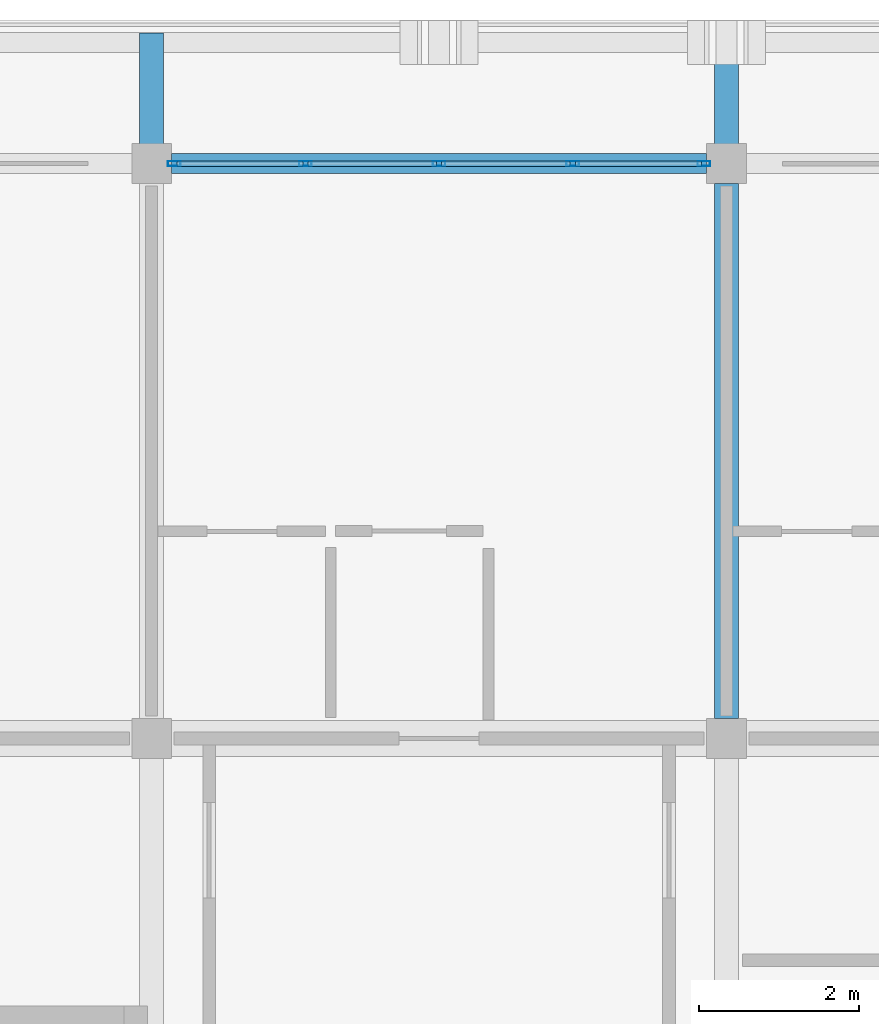
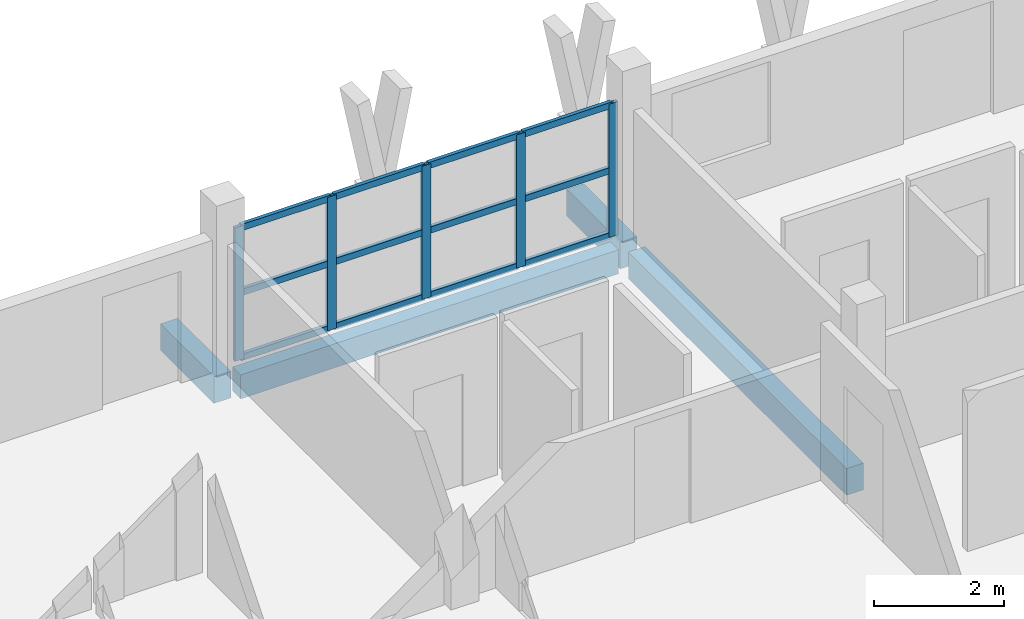
# One storey, part 6 of 32: 17 members, 4 beams, 1 element without a shape of its own.
"""IFC4 building model written with IfcOpenShell, lengths in metres."""

from ifc_helpers import new_model, si_unit, direction, frame, origin, origin_2d, place, context, subcontext, project, spatial, rectangle, hollow_rectangle, extrude, material, material_profile, profile_set, type_object, element, aggregate, save


model = new_model("IFC4")

# Units and contexts
model_context = context("Model", 3, precision=1e-05, world=origin(), true_north=direction((0.0, 1.0)))
body_context = subcontext(model_context, "Body", "Model", "MODEL_VIEW")
ifc_project = project(units=[si_unit("LENGTHUNIT", "METRE"), si_unit("AREAUNIT", "SQUARE_METRE"), si_unit("VOLUMEUNIT", "CUBIC_METRE"), si_unit("PLANEANGLEUNIT", "RADIAN"), si_unit("MASSUNIT", "GRAM", prefix="KILO")], contexts=[model_context])

# Site, building, storey
site_placement = place(None, origin())
site = spatial("IfcSite", under=ifc_project, at=site_placement, CompositionType="ELEMENT")
building_placement = place(site_placement, origin())
building = spatial("IfcBuilding", under=site, at=building_placement, Name="Suanplinth Sawtooth Commons", CompositionType="ELEMENT")
storey_placement = place(building_placement, frame((0.0, 0.0, 41.199951171875)))
storey = spatial("IfcBuildingStorey", under=building, at=storey_placement, Name="L12", CompositionType="ELEMENT", Elevation=41.199951171875)

# Beams
ifc_material_1 = material(Name="Precast concrete C40/50", Category="concrete")
ifc_material_profile_1 = material_profile(ifc_material_1, rectangle(XDim=0.300048828125, YDim=0.5, at=origin_2d()), Name="PC-BM 300x500")
ifc_profile_set_1 = profile_set([ifc_material_profile_1], Name="Precast concrete C40/50")
beam_type_1 = type_object("IfcBeamType", Name="B-07", PredefinedType="BEAM", material=ifc_profile_set_1)
beam_1_placement = place(storey_placement, frame((72.0, 115.449951171875, -0.4599609375), z_axis=(0.0, 1.0, 0.0), x_axis=(-1.0, 0.0, 0.0)))
element("IfcBeam", 1, at=beam_1_placement, inside=storey, type_object=beam_type_1, Name="BMY-L12-A-10-16", PredefinedType="BEAM", context=body_context, shape_type="SweptSolid", body=[
    extrude(rectangle(XDim=0.300048828125, YDim=0.5, at=origin_2d()), origin(), (0.0, 0.0, 1.0), 6.699951171875),
])
for number, where, z_axis, x_axis, name in (
    (2, (64.800048828125, 122.39990234375, -0.429931640625), (0.0, 1.0, 0.0), (-1.0, 0.0, 0.0), "Balcony Outrigger L12-A-N-9"),
    (3, (72.0, 122.39990234375, -0.429931640625), (0.0, 1.0, 0.0), (-1.0, 0.0, 0.0), "Balcony Outrigger L12-A-N-10"),
):
    element("IfcBeam", number, at=place(storey_placement, frame(where, z_axis=z_axis, x_axis=x_axis)), inside=storey, type_object=beam_type_1, Name=name, PredefinedType="BEAM", context=body_context, shape_type="SweptSolid", body=[
        extrude(rectangle(XDim=0.300048828125, YDim=0.5, at=origin_2d()), origin(), (0.0, 0.0, 1.0), 1.64013671875),
    ])
ifc_material_profile_2 = material_profile(ifc_material_1, rectangle(XDim=0.25, YDim=0.449951171875, at=origin_2d()), Name="PC-SP 250x450")
ifc_profile_set_2 = profile_set([ifc_material_profile_2], Name="Precast concrete C40/50")
beam_type_2 = type_object("IfcBeamType", Name="B-09", PredefinedType="SPANDREL", material=ifc_profile_set_2)
beam_2_placement = place(storey_placement, frame((65.050048828125, 122.39990234375, -0.43505859375), z_axis=(1.0, 0.0, 0.0), x_axis=(0.0, 1.0, 0.0)))
element("IfcBeam", 4, at=beam_2_placement, inside=storey, type_object=beam_type_2, Name="BMX-L12-A-9-17", PredefinedType="SPANDREL", context=body_context, shape_type="SweptSolid", body=[
    extrude(rectangle(XDim=0.25, YDim=0.449951171875, at=origin_2d()), origin(), (0.0, 0.0, 1.0), 6.699951171875),
])

# Curtain wall, members
ifc_material_2 = material(Name="Anodized aluminium and low-E glazing", Category="aluminium")
curtain_wall_type = type_object("IfcCurtainWallType", Name="CW-06", PredefinedType="USERDEFINED", material=ifc_material_2)
curtain_wall_placement = place(storey_placement, origin())
curtain_wall = element("IfcCurtainWall", 5, at=curtain_wall_placement, inside=storey, type_object=curtain_wall_type, Name="Curtain Wall CW-L12-A-LOUNGE-5", ObjectType="CURTAIN WALL", PredefinedType="USERDEFINED")
ifc_material_3 = material(Name="Anodized aluminium 6063-T6", Category="aluminium")
ifc_material_profile_3 = material_profile(ifc_material_3, hollow_rectangle(XDim=0.06494140625, YDim=0.159912109375, WallThickness=0.00390625, at=origin_2d()), Name="ALU-MUL 65x160")
ifc_profile_set_3 = profile_set([ifc_material_profile_3], Name="Anodized aluminium 6063-T6")
member_type_1 = type_object("IfcMemberType", Name="M-13", PredefinedType="MULLION", material=ifc_profile_set_3)
member_1_placement = place(storey_placement, frame((65.08251953125, 122.39990234375, 0.0), z_axis=(0.0, 0.0, 1.0), x_axis=(0.0, 1.0, 0.0)))
member_1 = element("IfcMember", 6, at=member_1_placement, type_object=member_type_1, Name="CW-06 mullion 1", PredefinedType="MULLION", context=body_context, shape_type="SweptSolid", body=[
    extrude(hollow_rectangle(XDim=0.06494140625, YDim=0.159912109375, WallThickness=0.00390625, at=origin_2d()), origin(), (0.0, 0.0, 1.0), 2.5),
])
member_2_placement = place(storey_placement, frame((66.72509765625, 122.39990234375, 0.0), z_axis=(0.0, 0.0, 1.0), x_axis=(0.0, 1.0, 0.0)))
member_2 = element("IfcMember", 7, at=member_2_placement, type_object=member_type_1, Name="CW-06 mullion 2", PredefinedType="MULLION", context=body_context, shape_type="SweptSolid", body=[
    extrude(hollow_rectangle(XDim=0.06494140625, YDim=0.159912109375, WallThickness=0.00390625, at=origin_2d()), origin(), (0.0, 0.0, 1.0), 2.5),
])
member_3_placement = place(storey_placement, frame((68.39990234375, 122.39990234375, 0.0), z_axis=(0.0, 0.0, 1.0), x_axis=(0.0, 1.0, 0.0)))
member_3 = element("IfcMember", 8, at=member_3_placement, type_object=member_type_1, Name="CW-06 mullion 3", PredefinedType="MULLION", context=body_context, shape_type="SweptSolid", body=[
    extrude(hollow_rectangle(XDim=0.06494140625, YDim=0.159912109375, WallThickness=0.00390625, at=origin_2d()), origin(), (0.0, 0.0, 1.0), 2.5),
])
member_4_placement = place(storey_placement, frame((70.074951171875, 122.39990234375, 0.0), z_axis=(0.0, 0.0, 1.0), x_axis=(0.0, 1.0, 0.0)))
member_4 = element("IfcMember", 9, at=member_4_placement, type_object=member_type_1, Name="CW-06 mullion 4", PredefinedType="MULLION", context=body_context, shape_type="SweptSolid", body=[
    extrude(hollow_rectangle(XDim=0.06494140625, YDim=0.159912109375, WallThickness=0.00390625, at=origin_2d()), origin(), (0.0, 0.0, 1.0), 2.5),
])
member_5_placement = place(storey_placement, frame((71.717529296875, 122.39990234375, 0.0), z_axis=(0.0, 0.0, 1.0), x_axis=(0.0, 1.0, 0.0)))
member_5 = element("IfcMember", 10, at=member_5_placement, type_object=member_type_1, Name="CW-06 mullion 5", PredefinedType="MULLION", context=body_context, shape_type="SweptSolid", body=[
    extrude(hollow_rectangle(XDim=0.06494140625, YDim=0.159912109375, WallThickness=0.00390625, at=origin_2d()), origin(), (0.0, 0.0, 1.0), 2.5),
])
ifc_material_profile_4 = material_profile(ifc_material_3, hollow_rectangle(XDim=0.06494140625, YDim=0.1201171875, WallThickness=0.00390625, at=origin_2d()), Name="ALU-TRN 65x120")
ifc_profile_set_4 = profile_set([ifc_material_profile_4], Name="Anodized aluminium 6063-T6")
member_type_2 = type_object("IfcMemberType", Name="M-15", PredefinedType="USERDEFINED", material=ifc_profile_set_4)
member_6_placement = place(storey_placement, frame((65.114990234375, 122.39990234375, 0.032470703125), z_axis=(1.0, 0.0, 0.0), x_axis=(0.0, 1.0, 0.0)))
member_6 = element("IfcMember", 11, at=member_6_placement, type_object=member_type_2, Name="CW-06 transom 1.1", ObjectType="TRANSOM", PredefinedType="USERDEFINED", context=body_context, shape_type="SweptSolid", body=[
    extrude(hollow_rectangle(XDim=0.06494140625, YDim=0.1201171875, WallThickness=0.00390625, at=origin_2d()), origin(), (0.0, 0.0, 1.0), 1.577392578125),
])
member_7_placement = place(storey_placement, frame((65.114990234375, 122.39990234375, 1.25), z_axis=(1.0, 0.0, 0.0), x_axis=(0.0, 1.0, 0.0)))
member_7 = element("IfcMember", 12, at=member_7_placement, type_object=member_type_2, Name="CW-06 transom 1.2", ObjectType="TRANSOM", PredefinedType="USERDEFINED", context=body_context, shape_type="SweptSolid", body=[
    extrude(hollow_rectangle(XDim=0.06494140625, YDim=0.1201171875, WallThickness=0.00390625, at=origin_2d()), origin(), (0.0, 0.0, 1.0), 1.577392578125),
])
member_8_placement = place(storey_placement, frame((65.114990234375, 122.39990234375, 2.467529296875), z_axis=(1.0, 0.0, 0.0), x_axis=(0.0, 1.0, 0.0)))
member_8 = element("IfcMember", 13, at=member_8_placement, type_object=member_type_2, Name="CW-06 transom 1.3", ObjectType="TRANSOM", PredefinedType="USERDEFINED", context=body_context, shape_type="SweptSolid", body=[
    extrude(hollow_rectangle(XDim=0.06494140625, YDim=0.1201171875, WallThickness=0.00390625, at=origin_2d()), origin(), (0.0, 0.0, 1.0), 1.577392578125),
])
member_9_placement = place(storey_placement, frame((66.757568359375, 122.39990234375, 0.032470703125), z_axis=(1.0, 0.0, 0.0), x_axis=(0.0, 1.0, 0.0)))
member_9 = element("IfcMember", 14, at=member_9_placement, type_object=member_type_2, Name="CW-06 transom 2.1", ObjectType="TRANSOM", PredefinedType="USERDEFINED", context=body_context, shape_type="SweptSolid", body=[
    extrude(hollow_rectangle(XDim=0.06494140625, YDim=0.1201171875, WallThickness=0.00390625, at=origin_2d()), origin(), (0.0, 0.0, 1.0), 1.60986328125),
])
member_10_placement = place(storey_placement, frame((66.757568359375, 122.39990234375, 1.25), z_axis=(1.0, 0.0, 0.0), x_axis=(0.0, 1.0, 0.0)))
member_10 = element("IfcMember", 15, at=member_10_placement, type_object=member_type_2, Name="CW-06 transom 2.2", ObjectType="TRANSOM", PredefinedType="USERDEFINED", context=body_context, shape_type="SweptSolid", body=[
    extrude(hollow_rectangle(XDim=0.06494140625, YDim=0.1201171875, WallThickness=0.00390625, at=origin_2d()), origin(), (0.0, 0.0, 1.0), 1.60986328125),
])
member_11_placement = place(storey_placement, frame((66.757568359375, 122.39990234375, 2.467529296875), z_axis=(1.0, 0.0, 0.0), x_axis=(0.0, 1.0, 0.0)))
member_11 = element("IfcMember", 16, at=member_11_placement, type_object=member_type_2, Name="CW-06 transom 2.3", ObjectType="TRANSOM", PredefinedType="USERDEFINED", context=body_context, shape_type="SweptSolid", body=[
    extrude(hollow_rectangle(XDim=0.06494140625, YDim=0.1201171875, WallThickness=0.00390625, at=origin_2d()), origin(), (0.0, 0.0, 1.0), 1.60986328125),
])
member_12_placement = place(storey_placement, frame((68.4326171875, 122.39990234375, 0.032470703125), z_axis=(1.0, 0.0, 0.0), x_axis=(0.0, 1.0, 0.0)))
member_12 = element("IfcMember", 17, at=member_12_placement, type_object=member_type_2, Name="CW-06 transom 3.1", ObjectType="TRANSOM", PredefinedType="USERDEFINED", context=body_context, shape_type="SweptSolid", body=[
    extrude(hollow_rectangle(XDim=0.06494140625, YDim=0.1201171875, WallThickness=0.00390625, at=origin_2d()), origin(), (0.0, 0.0, 1.0), 1.60986328125),
])
member_13_placement = place(storey_placement, frame((68.4326171875, 122.39990234375, 1.25), z_axis=(1.0, 0.0, 0.0), x_axis=(0.0, 1.0, 0.0)))
member_13 = element("IfcMember", 18, at=member_13_placement, type_object=member_type_2, Name="CW-06 transom 3.2", ObjectType="TRANSOM", PredefinedType="USERDEFINED", context=body_context, shape_type="SweptSolid", body=[
    extrude(hollow_rectangle(XDim=0.06494140625, YDim=0.1201171875, WallThickness=0.00390625, at=origin_2d()), origin(), (0.0, 0.0, 1.0), 1.60986328125),
])
member_14_placement = place(storey_placement, frame((68.4326171875, 122.39990234375, 2.467529296875), z_axis=(1.0, 0.0, 0.0), x_axis=(0.0, 1.0, 0.0)))
member_14 = element("IfcMember", 19, at=member_14_placement, type_object=member_type_2, Name="CW-06 transom 3.3", ObjectType="TRANSOM", PredefinedType="USERDEFINED", context=body_context, shape_type="SweptSolid", body=[
    extrude(hollow_rectangle(XDim=0.06494140625, YDim=0.1201171875, WallThickness=0.00390625, at=origin_2d()), origin(), (0.0, 0.0, 1.0), 1.60986328125),
])
member_15_placement = place(storey_placement, frame((70.107421875, 122.39990234375, 0.032470703125), z_axis=(1.0, 0.0, 0.0), x_axis=(0.0, 1.0, 0.0)))
member_15 = element("IfcMember", 20, at=member_15_placement, type_object=member_type_2, Name="CW-06 transom 4.1", ObjectType="TRANSOM", PredefinedType="USERDEFINED", context=body_context, shape_type="SweptSolid", body=[
    extrude(hollow_rectangle(XDim=0.06494140625, YDim=0.1201171875, WallThickness=0.00390625, at=origin_2d()), origin(), (0.0, 0.0, 1.0), 1.57763671875),
])
member_16_placement = place(storey_placement, frame((70.107421875, 122.39990234375, 1.25), z_axis=(1.0, 0.0, 0.0), x_axis=(0.0, 1.0, 0.0)))
member_16 = element("IfcMember", 21, at=member_16_placement, type_object=member_type_2, Name="CW-06 transom 4.2", ObjectType="TRANSOM", PredefinedType="USERDEFINED", context=body_context, shape_type="SweptSolid", body=[
    extrude(hollow_rectangle(XDim=0.06494140625, YDim=0.1201171875, WallThickness=0.00390625, at=origin_2d()), origin(), (0.0, 0.0, 1.0), 1.57763671875),
])
member_17_placement = place(storey_placement, frame((70.107421875, 122.39990234375, 2.467529296875), z_axis=(1.0, 0.0, 0.0), x_axis=(0.0, 1.0, 0.0)))
member_17 = element("IfcMember", 22, at=member_17_placement, type_object=member_type_2, Name="CW-06 transom 4.3", ObjectType="TRANSOM", PredefinedType="USERDEFINED", context=body_context, shape_type="SweptSolid", body=[
    extrude(hollow_rectangle(XDim=0.06494140625, YDim=0.1201171875, WallThickness=0.00390625, at=origin_2d()), origin(), (0.0, 0.0, 1.0), 1.57763671875),
])
aggregate(curtain_wall, [member_1, member_2, member_3, member_4, member_5, member_6, member_7, member_8, member_9, member_10, member_11, member_12, member_13, member_14, member_15, member_16, member_17])

save(model, "model.ifc")
